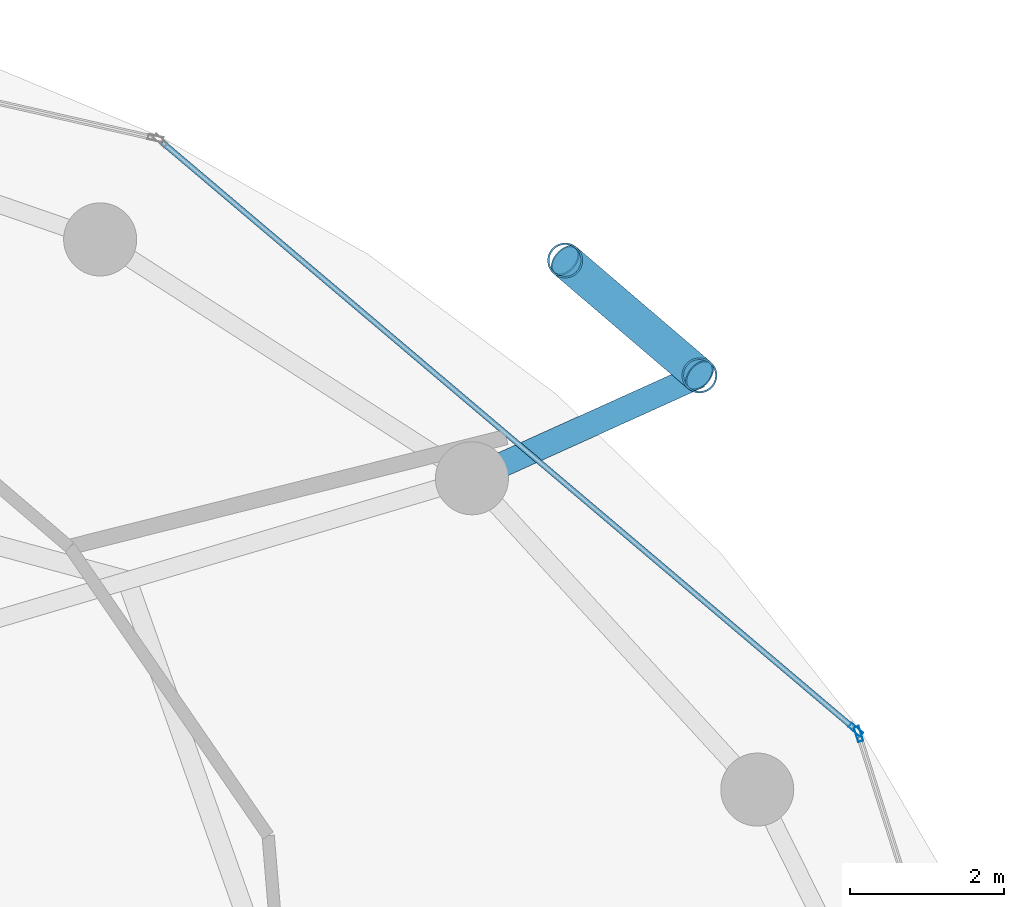
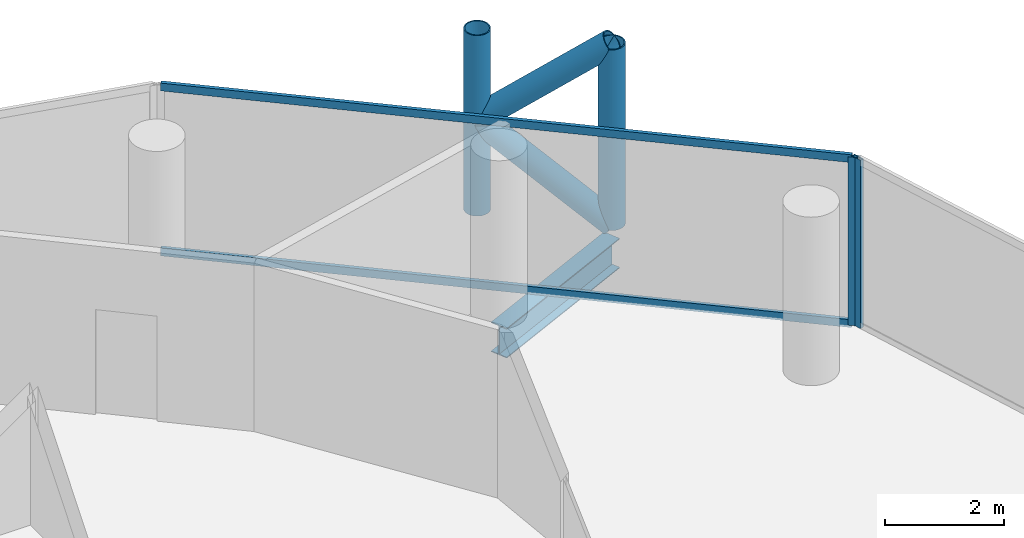
# One storey, part 19 of 26: 8 members, 1 beam, 2 elements without a shape of their own.
"""IFC4 building model written with IfcOpenShell, lengths in metres."""

from ifc_helpers import new_model, si_unit, direction, frame, origin, origin_2d, place, context, subcontext, project, spatial, hollow_rectangle, hollow_circle, i_section, extrude, material, layer, layer_set, material_profile, profile_set, type_object, element, aggregate, save


model = new_model("IFC4")

# Units and contexts
model_context = context("Model", 3, precision=1e-05, world=origin(), true_north=direction((0.0, 1.0)))
body_context = subcontext(model_context, "Body", "Model", "MODEL_VIEW")
ifc_project = project(units=[si_unit("LENGTHUNIT", "METRE"), si_unit("AREAUNIT", "SQUARE_METRE"), si_unit("VOLUMEUNIT", "CUBIC_METRE"), si_unit("PLANEANGLEUNIT", "RADIAN"), si_unit("MASSUNIT", "GRAM", prefix="KILO")], contexts=[model_context])

# Site, building, storey
site_placement = place(None, origin())
site = spatial("IfcSite", under=ifc_project, at=site_placement, CompositionType="ELEMENT")
building_placement = place(site_placement, origin())
building = spatial("IfcBuilding", under=site, at=building_placement, Name="Nuhasar Tower", CompositionType="ELEMENT")
storey_placement = place(building_placement, frame((0.0, 0.0, 181.14990234375)))
storey = spatial("IfcBuildingStorey", under=building, at=storey_placement, Name="L44", CompositionType="ELEMENT", Elevation=181.14990234375)

# Beam
ifc_material_1 = material(Name="Steel S355", Category="steel")
ifc_material_profile_1 = material_profile(ifc_material_1, i_section(OverallWidth=0.323974609375, OverallDepth=0.611083984375, WebThickness=0.0126953125, FlangeThickness=0.01904296875, at=origin_2d()), Name="W24X104")
ifc_profile_set_1 = profile_set([ifc_material_profile_1], Name="Steel S355")
beam_type = type_object("IfcBeamType", Name="BM-TIE-W24X104", PredefinedType="BEAM", material=ifc_profile_set_1)
beam_placement = place(storey_placement, frame((55.510986328125, 40.6240234375, -0.554931640625), z_axis=(0.911239591969, 0.411876687891, 0.0), x_axis=(-0.411876687891, 0.911239591969, 0.0)))
element("IfcBeam", 1, at=beam_placement, inside=storey, type_object=beam_type, Name="L44 Exoskeleton Node Tie Beam 02", PredefinedType="BEAM", context=body_context, shape_type="SweptSolid", body=[
    extrude(i_section(OverallWidth=0.323974609375, OverallDepth=0.611083984375, WebThickness=0.0126953125, FlangeThickness=0.01904296875, at=origin_2d()), origin(), (0.0, 0.0, 1.0), 3.248291015625),
])

# Curtain wall, member
ifc_material_2 = material(Name="Aluminium 6063-T6", Category="aluminium")
ifc_layer = layer(ifc_material_2, 0.199951171875)
ifc_layer_set = layer_set([ifc_layer], Name="Aluminium 6063-T6")
curtain_wall_type = type_object("IfcCurtainWallType", Name="CW-Z2-HTL", PredefinedType="NOTDEFINED", material=ifc_layer_set)
curtain_wall_1_placement = place(storey_placement, origin())
curtain_wall_1 = element("IfcCurtainWall", 2, at=curtain_wall_1_placement, inside=storey, type_object=curtain_wall_type, Name="L44 Unitised Curtain Wall 01", PredefinedType="NOTDEFINED")
ifc_material_profile_2 = material_profile(ifc_material_2, hollow_rectangle(XDim=0.070068359375, YDim=0.199951171875, WallThickness=0.0048828125, at=origin_2d()), Name="CWM-3")
ifc_profile_set_2 = profile_set([ifc_material_profile_2], Name="Aluminium 6063-T6")
member_type_1 = type_object("IfcMemberType", Name="CW-MUL-S3", PredefinedType="MULLION", material=ifc_profile_set_2)
member_1_placement = place(storey_placement, frame((60.53955078125, 37.296630859375, 0.0), z_axis=(0.0, 0.0, 1.0), x_axis=(-0.953433389233, -0.301603667577, 0.0)))
member_1 = element("IfcMember", 3, at=member_1_placement, type_object=member_type_1, Name="CW-Z2 mullion 2", PredefinedType="MULLION", context=body_context, shape_type="SweptSolid", body=[
    extrude(hollow_rectangle(XDim=0.070068359375, YDim=0.199951171875, WallThickness=0.0048828125, at=origin_2d()), origin(), (0.0, 0.0, 1.0), 3.4501953125),
])
aggregate(curtain_wall_1, [member_1])

# Curtain wall, members
curtain_wall_2_placement = place(storey_placement, origin())
curtain_wall_2 = element("IfcCurtainWall", 4, at=curtain_wall_2_placement, inside=storey, type_object=curtain_wall_type, Name="L44 Unitised Curtain Wall 02", PredefinedType="NOTDEFINED")
member_2_placement = place(storey_placement, frame((60.502197265625, 37.3525390625, 0.0), z_axis=(0.0, 0.0, 1.0), x_axis=(-0.646374438324, -0.763020370292, 0.0)))
member_2 = element("IfcMember", 5, at=member_2_placement, type_object=member_type_1, Name="CW-Z2 mullion 1", PredefinedType="MULLION", context=body_context, shape_type="SweptSolid", body=[
    extrude(hollow_rectangle(XDim=0.070068359375, YDim=0.199951171875, WallThickness=0.0048828125, at=origin_2d()), origin(), (0.0, 0.0, 1.0), 3.4501953125),
])
ifc_material_profile_3 = material_profile(ifc_material_2, hollow_rectangle(XDim=0.070068359375, YDim=0.159912109375, WallThickness=0.00439453125, at=origin_2d()), Name="CWT-3")
ifc_profile_set_3 = profile_set([ifc_material_profile_3], Name="Aluminium 6063-T6")
member_type_2 = type_object("IfcMemberType", Name="CW-TRN-S3", PredefinedType="USERDEFINED", material=ifc_profile_set_3)
member_3_placement = place(storey_placement, frame((60.4755859375, 37.375244140625, 0.03515625), z_axis=(-0.763023915269, 0.646370253592, 0.0), x_axis=(-0.646370253592, -0.763023915269, 0.0)))
member_3 = element("IfcMember", 6, at=member_3_placement, type_object=member_type_2, Name="CW-Z2 transom 1.1", ObjectType="TRANSOM", PredefinedType="USERDEFINED", context=body_context, shape_type="SweptSolid", body=[
    extrude(hollow_rectangle(XDim=0.070068359375, YDim=0.159912109375, WallThickness=0.00439453125, at=origin_2d()), origin(), (0.0, 0.0, 1.0), 11.784912109375),
])
member_4_placement = place(storey_placement, frame((60.4755859375, 37.375244140625, 3.4150390625), z_axis=(-0.763023915269, 0.646370253592, 0.0), x_axis=(-0.646370253592, -0.763023915269, 0.0)))
member_4 = element("IfcMember", 7, at=member_4_placement, type_object=member_type_2, Name="CW-Z2 transom 1.2", ObjectType="TRANSOM", PredefinedType="USERDEFINED", context=body_context, shape_type="SweptSolid", body=[
    extrude(hollow_rectangle(XDim=0.070068359375, YDim=0.159912109375, WallThickness=0.00439453125, at=origin_2d()), origin(), (0.0, 0.0, 1.0), 11.784912109375),
])
aggregate(curtain_wall_2, [member_2, member_3, member_4])

# Members
ifc_material_3 = material(Name="Steel S460", Category="steel")
ifc_material_profile_4 = material_profile(ifc_material_3, hollow_circle(Radius=0.228515625, WallThickness=0.022216796875, at=origin_2d()), Name="HSS457X22.2")
ifc_profile_set_4 = profile_set([ifc_material_profile_4], Name="Steel S460")
member_type_3 = type_object("IfcMemberType", Name="EXO-BRONZE-457", PredefinedType="BRACE", material=ifc_profile_set_4)
for number, where, z_axis, x_axis, name in (
    (8, (58.470947265625, 41.9619140625, 0.0), (0.0, 0.0, 1.0), (1.0, 0.0, 0.0), "L44 Exoskeleton Chord Column EC-02A"),
    (9, (56.722900390625, 43.45703125, 0.0), (0.0, 0.0, 1.0), (1.0, 0.0, 0.0), "L44 Exoskeleton Chord Column EC-02B"),
):
    element("IfcMember", number, at=place(storey_placement, frame(where, z_axis=z_axis, x_axis=x_axis)), inside=storey, type_object=member_type_3, Name=name, PredefinedType="BRACE", context=body_context, shape_type="SweptSolid", body=[
        extrude(hollow_circle(Radius=0.228515625, WallThickness=0.022216796875, at=origin_2d()), origin(), (0.0, 0.0, 1.0), 3.7001953125),
    ])
for number, where, z_axis, x_axis, name in (
    (10, (58.470947265625, 41.9619140625, 0.0), (-0.592170370358, 0.506487618445, 0.626741210415), (-0.649986859795, -0.759945446788, 0.0), "L44 Bronze Diagrid Brace W1-02"),
    (11, (56.722900390625, 43.45703125, 1.85009765625), (0.592170370358, -0.506487618445, 0.626741210415), (0.649986859795, 0.759945446788, 0.0), "L44 Bronze Diagrid Brace W2-02"),
):
    element("IfcMember", number, at=place(storey_placement, frame(where, z_axis=z_axis, x_axis=x_axis)), inside=storey, type_object=member_type_3, Name=name, PredefinedType="BRACE", context=body_context, shape_type="SweptSolid", body=[
        extrude(hollow_circle(Radius=0.228515625, WallThickness=0.022216796875, at=origin_2d()), origin(), (0.0, 0.0, 1.0), 2.951904296875),
    ])

save(model, "model.ifc")
